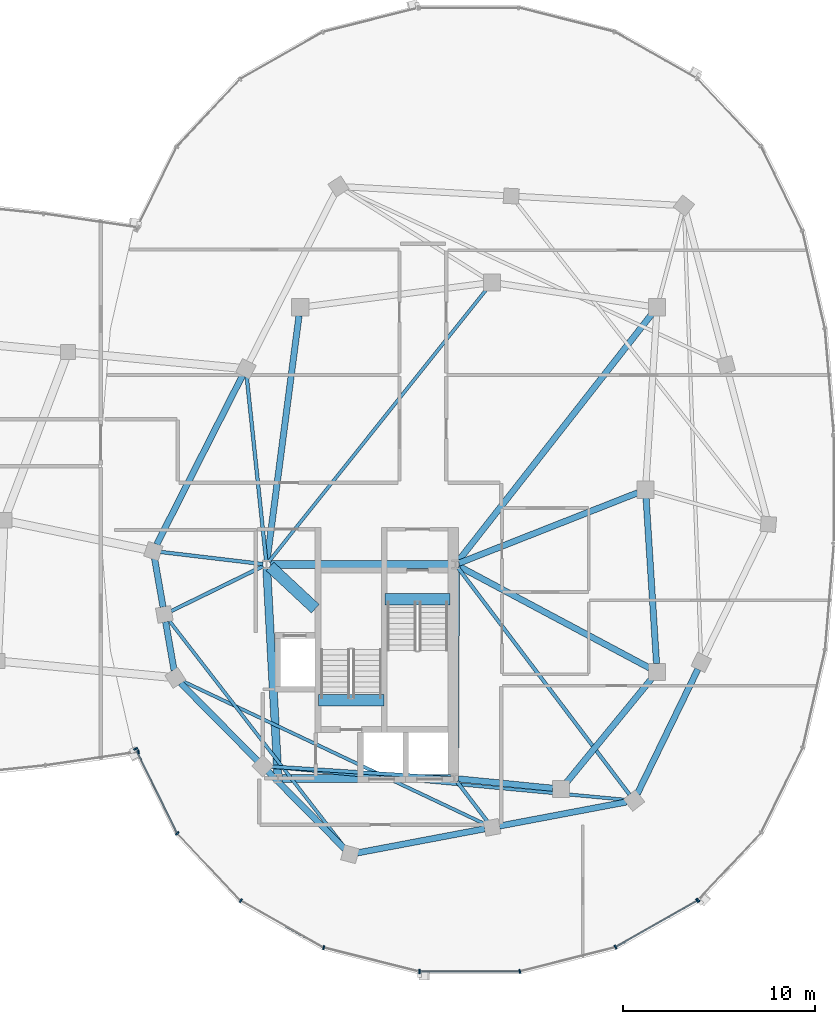
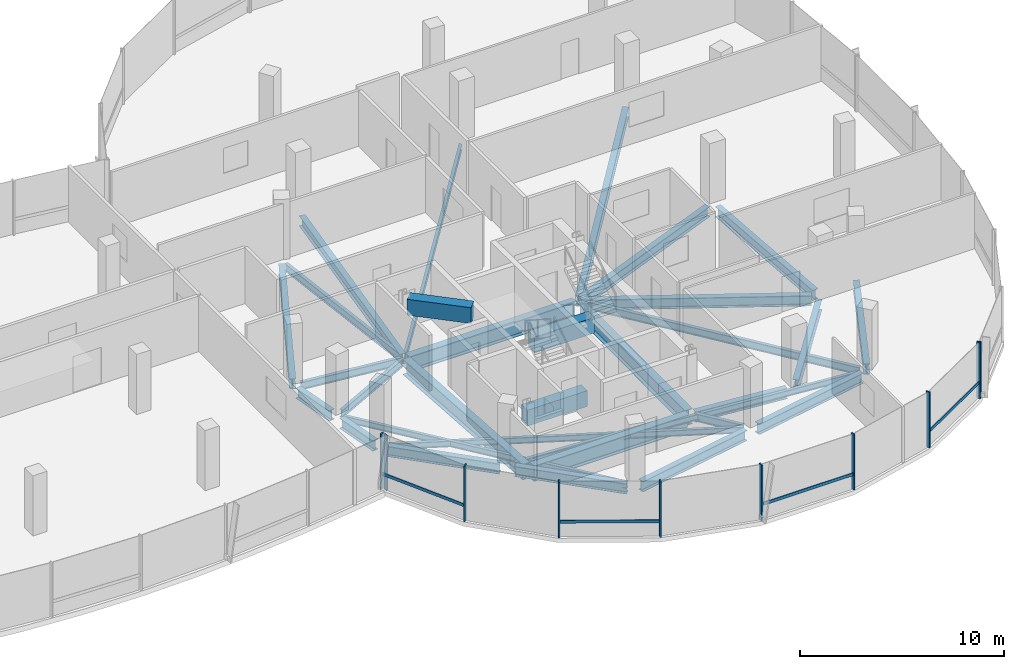
# One storey, part 8 of 26: 32 beams, 14 members, 3 elements without a shape of their own.
"""IFC4 building model written with IfcOpenShell, lengths in metres."""

from ifc_helpers import new_model, si_unit, direction, frame, origin, origin_2d, place, context, subcontext, project, spatial, rectangle, i_section, extrude, material, material_profile, profile_set, type_object, element, aggregate, save


model = new_model("IFC4")

# Units and contexts
model_context = context("Model", 3, precision=1e-05, world=origin(), true_north=direction((0.0, 1.0)))
body_context = subcontext(model_context, "Body", "Model", "MODEL_VIEW")
ifc_project = project(units=[si_unit("LENGTHUNIT", "METRE"), si_unit("AREAUNIT", "SQUARE_METRE"), si_unit("VOLUMEUNIT", "CUBIC_METRE"), si_unit("PLANEANGLEUNIT", "RADIAN"), si_unit("MASSUNIT", "GRAM", prefix="KILO"), si_unit("THERMODYNAMICTEMPERATUREUNIT", "KELVIN"), si_unit("POWERUNIT", "WATT")], contexts=[model_context])

# Site, building, storey
site_placement = place(None, origin())
site = spatial("IfcSite", under=ifc_project, at=site_placement, CompositionType="ELEMENT")
building_placement = place(site_placement, origin())
building = spatial("IfcBuilding", under=site, at=building_placement, Name="Cundina Bronze Exchange", CompositionType="ELEMENT")
storey_placement = place(building_placement, frame((0.0, 0.0, 243.199951171875)))
storey = spatial("IfcBuildingStorey", under=building, at=storey_placement, Name="L64", CompositionType="ELEMENT", Elevation=243.199951171875)

# Beams
ifc_material_1 = material(Name="Concrete C60/75", Category="concrete")
ifc_material_profile_1 = material_profile(ifc_material_1, rectangle(XDim=0.60009765625, YDim=0.949951171875, at=origin_2d()), Name="RC600X950", Category="concrete")
ifc_profile_set_1 = profile_set([ifc_material_profile_1], Name="Concrete C60/75")
beam_type_1 = type_object("IfcBeamType", Name="BM-COUP-RC950", PredefinedType="LINTEL", material=ifc_profile_set_1)
beam_1_placement = place(storey_placement, frame((27.6201171875, -5.719970703125, -0.474853515625), z_axis=(1.0, 0.0, 0.0), x_axis=(0.0, 1.0, 0.0)))
element("IfcBeam", 1, at=beam_1_placement, inside=storey, type_object=beam_type_1, Name="L64 Stair E1 Landing Header Beam", PredefinedType="LINTEL", context=body_context, shape_type="SweptSolid", body=[
    extrude(rectangle(XDim=0.60009765625, YDim=0.949951171875, at=origin_2d()), origin(), (0.0, 0.0, 1.0), 3.39990234375),
])
beam_2_placement = place(storey_placement, frame((24.159912109375, -10.97998046875, -0.474853515625), z_axis=(1.0, 0.0, 0.0), x_axis=(0.0, 1.0, 0.0)))
element("IfcBeam", 2, at=beam_2_placement, inside=storey, type_object=beam_type_1, Name="L64 Stair E2 Landing Header Beam", PredefinedType="LINTEL", context=body_context, shape_type="SweptSolid", body=[
    extrude(rectangle(XDim=0.60009765625, YDim=0.949951171875, at=origin_2d()), origin(), (0.0, 0.0, 1.0), 3.400146484375),
])
beam_3_placement = place(storey_placement, frame((21.6298828125, -4.0, 2.864990234375), z_axis=(0.731490439815, -0.681851696822, 0.0), x_axis=(0.681851696822, 0.731490439815, 0.0)))
element("IfcBeam", 3, at=beam_3_placement, inside=storey, type_object=beam_type_1, Name="L64 E Core Shear Coupling Lintel Beam", PredefinedType="LINTEL", context=body_context, shape_type="SweptSolid", body=[
    extrude(rectangle(XDim=0.60009765625, YDim=0.949951171875, at=origin_2d()), origin(), (0.0, 0.0, 1.0), 3.226318359375),
])
ifc_material_2 = material(Name="Steel ASTM A992 Grade 50", Category="steel")
ifc_material_profile_2 = material_profile(ifc_material_2, i_section(OverallWidth=0.19091796875, OverallDepth=0.4599609375, WebThickness=0.010009765625, FlangeThickness=0.01611328125, FilletRadius=0.011962890625, at=origin_2d()), Name="W18X55", Category="steel")
ifc_profile_set_2 = profile_set([ifc_material_profile_2], Name="Steel ASTM A992 Grade 50")
beam_type_2 = type_object("IfcBeamType", Name="BM-FLR-W18B", PredefinedType="BEAM", material=ifc_profile_set_2)
beam_4_placement = place(storey_placement, frame((21.25537109375, -3.876953125, -0.489990234375), z_axis=(-0.993031892142, 0.117845921393, 0.0), x_axis=(-0.117845921393, -0.993031892142, 0.0)))
element("IfcBeam", 4, at=beam_4_placement, inside=storey, type_object=beam_type_2, Name="L64 Leg E Chordal Floor Beam 00", PredefinedType="BEAM", context=body_context, shape_type="SweptSolid", body=[
    extrude(i_section(OverallWidth=0.19091796875, OverallDepth=0.4599609375, WebThickness=0.010009765625, FlangeThickness=0.01611328125, FilletRadius=0.011962890625, at=origin_2d()), origin(), (0.0, 0.0, 1.0), 5.357421875),
])
beam_5_placement = place(storey_placement, frame((21.27392578125, -3.986083984375, -0.489990234375), z_axis=(-0.898610260891, -0.438747762412, 0.0), x_axis=(0.438747762412, -0.898610260891, 0.0)))
element("IfcBeam", 5, at=beam_5_placement, inside=storey, type_object=beam_type_2, Name="L64 Leg E Chordal Floor Beam 01", PredefinedType="BEAM", context=body_context, shape_type="SweptSolid", body=[
    extrude(i_section(OverallWidth=0.19091796875, OverallDepth=0.4599609375, WebThickness=0.010009765625, FlangeThickness=0.01611328125, FilletRadius=0.011962890625, at=origin_2d()), origin(), (0.0, 0.0, 1.0), 5.341796875),
])
beam_6_placement = place(storey_placement, frame((31.054443359375, -15.037353515625, -0.489990234375), z_axis=(-0.997894580734, 0.064856809527, 0.0), x_axis=(-0.064856809527, -0.997894580734, 0.0)))
element("IfcBeam", 6, at=beam_6_placement, inside=storey, type_object=beam_type_2, Name="L64 Leg E Chordal Floor Beam 03", PredefinedType="BEAM", context=body_context, shape_type="SweptSolid", body=[
    extrude(i_section(OverallWidth=0.19091796875, OverallDepth=0.4599609375, WebThickness=0.010009765625, FlangeThickness=0.01611328125, FilletRadius=0.011962890625, at=origin_2d()), origin(), (0.0, 0.0, 1.0), 9.43701171875),
])
beam_7_placement = place(storey_placement, frame((31.369140625, -15.205810546875, -0.489990234375), z_axis=(0.607470812638, -0.794341999263, 0.0), x_axis=(0.794341999263, 0.607470812638, 0.0)))
element("IfcBeam", 7, at=beam_7_placement, inside=storey, type_object=beam_type_2, Name="L64 Leg E Chordal Floor Beam 05", PredefinedType="BEAM", context=body_context, shape_type="SweptSolid", body=[
    extrude(i_section(OverallWidth=0.19091796875, OverallDepth=0.4599609375, WebThickness=0.010009765625, FlangeThickness=0.01611328125, FilletRadius=0.011962890625, at=origin_2d()), origin(), (0.0, 0.0, 1.0), 2.6259765625),
])
beam_8_placement = place(storey_placement, frame((31.418212890625, -4.056396484375, -0.489990234375), z_axis=(0.603112871583, -0.797655855699, 0.0), x_axis=(0.797655855699, 0.603112871583, 0.0)))
element("IfcBeam", 8, at=beam_8_placement, inside=storey, type_object=beam_type_2, Name="L64 Leg E Chordal Floor Beam 06", PredefinedType="BEAM", context=body_context, shape_type="SweptSolid", body=[
    extrude(i_section(OverallWidth=0.19091796875, OverallDepth=0.4599609375, WebThickness=0.010009765625, FlangeThickness=0.01611328125, FilletRadius=0.011962890625, at=origin_2d()), origin(), (0.0, 0.0, 1.0), 14.8359375),
])
beam_9_placement = place(storey_placement, frame((21.429443359375, -3.705078125, -0.489990234375), z_axis=(-0.10480040809, 0.994493275223, 0.0), x_axis=(-0.994493275223, -0.10480040809, 0.0)))
element("IfcBeam", 9, at=beam_9_placement, inside=storey, type_object=beam_type_2, Name="L64 Leg E Chordal Floor Beam 13", PredefinedType="BEAM", context=body_context, shape_type="SweptSolid", body=[
    extrude(i_section(OverallWidth=0.19091796875, OverallDepth=0.4599609375, WebThickness=0.010009765625, FlangeThickness=0.01611328125, FilletRadius=0.011962890625, at=origin_2d()), origin(), (0.0, 0.0, 1.0), 9.67236328125),
])
ifc_material_profile_3 = material_profile(ifc_material_2, i_section(OverallWidth=0.172119140625, OverallDepth=0.35791015625, WebThickness=0.0078125, FlangeThickness=0.01318359375, FilletRadius=0.010009765625, at=origin_2d()), Name="W14X38", Category="steel")
ifc_profile_set_3 = profile_set([ifc_material_profile_3], Name="Steel ASTM A992 Grade 50")
beam_type_3 = type_object("IfcBeamType", Name="BM-JST-W14", PredefinedType="JOIST", material=ifc_profile_set_3)
beam_10_placement = place(storey_placement, frame((21.572509765625, -3.746826171875, -0.43896484375), z_axis=(0.624364266872, 0.781133319129, 0.0), x_axis=(-0.781133319129, 0.624364266872, 0.0)))
element("IfcBeam", 10, at=beam_10_placement, inside=storey, type_object=beam_type_3, Name="L64 E Interior Core-to-Ring Joist 2", PredefinedType="JOIST", context=body_context, shape_type="SweptSolid", body=[
    extrude(i_section(OverallWidth=0.172119140625, OverallDepth=0.35791015625, WebThickness=0.0078125, FlangeThickness=0.01318359375, FilletRadius=0.010009765625, at=origin_2d()), origin(), (0.0, 0.0, 1.0), 18.184814453125),
])
beam_11_placement = place(storey_placement, frame((16.362548828125, -6.806884765625, -0.43896484375), z_axis=(0.612077855816, -0.790797507849, 0.0), x_axis=(0.790797507849, 0.612077855816, 0.0)))
element("IfcBeam", 11, at=beam_11_placement, inside=storey, type_object=beam_type_3, Name="L64 Leg E Lobe Floor Joist 01-04", PredefinedType="JOIST", context=body_context, shape_type="SweptSolid", body=[
    extrude(i_section(OverallWidth=0.172119140625, OverallDepth=0.35791015625, WebThickness=0.0078125, FlangeThickness=0.01318359375, FilletRadius=0.010009765625, at=origin_2d()), origin(), (0.0, 0.0, 1.0), 15.03076171875),
])
beam_12_placement = place(storey_placement, frame((17.05078125, -9.9658203125, -0.43896484375), z_axis=(0.904073247994, -0.427377540661, 0.0), x_axis=(0.427377540661, 0.904073247994, 0.0)))
element("IfcBeam", 12, at=beam_12_placement, inside=storey, type_object=beam_type_3, Name="L64 Leg E Lobe Floor Joist 02-05", PredefinedType="JOIST", context=body_context, shape_type="SweptSolid", body=[
    extrude(i_section(OverallWidth=0.172119140625, OverallDepth=0.35791015625, WebThickness=0.0078125, FlangeThickness=0.01318359375, FilletRadius=0.010009765625, at=origin_2d()), origin(), (0.0, 0.0, 1.0), 17.474609375),
])
beam_13_placement = place(storey_placement, frame((21.63623046875, -14.435791015625, -0.43896484375), z_axis=(0.995700514338, -0.092630911398, 0.0), x_axis=(0.092630911398, 0.995700514338, 0.0)))
element("IfcBeam", 13, at=beam_13_placement, inside=storey, type_object=beam_type_3, Name="L64 Leg E Lobe Floor Joist 03-06", PredefinedType="JOIST", context=body_context, shape_type="SweptSolid", body=[
    extrude(i_section(OverallWidth=0.172119140625, OverallDepth=0.35791015625, WebThickness=0.0078125, FlangeThickness=0.01318359375, FilletRadius=0.010009765625, at=origin_2d()), origin(), (0.0, 0.0, 1.0), 18.65771484375),
])
ifc_material_profile_4 = material_profile(ifc_material_2, i_section(OverallWidth=0.324951171875, OverallDepth=0.615966796875, WebThickness=0.013916015625, FlangeThickness=0.021484375, FilletRadius=0.01611328125, at=origin_2d()), Name="W24X117", Category="steel")
ifc_profile_set_4 = profile_set([ifc_material_profile_4], Name="Steel ASTM A992 Grade 50")
beam_type_4 = type_object("IfcBeamType", Name="BM-RING-W24", PredefinedType="USERDEFINED", material=ifc_profile_set_4)
beam_14_placement = place(storey_placement, frame((31.445068359375, -15.0693359375, -0.56787109375), z_axis=(0.995123854478, -0.09863323096, 0.0), x_axis=(0.09863323096, 0.995123854478, 0.0)))
element("IfcBeam", 14, at=beam_14_placement, inside=storey, type_object=beam_type_4, Name="L64 E Inner Structural Ring Girder 01", ObjectType="GIRDER", PredefinedType="USERDEFINED", context=body_context, shape_type="SweptSolid", body=[
    extrude(i_section(OverallWidth=0.324951171875, OverallDepth=0.615966796875, WebThickness=0.013916015625, FlangeThickness=0.021484375, FilletRadius=0.01611328125, at=origin_2d()), origin(), (0.0, 0.0, 1.0), 4.943115234375),
])
beam_15_placement = place(storey_placement, frame((37.07763671875, -15.26123046875, -0.56787109375), z_axis=(0.633912590175, 0.77340469873, 0.0), x_axis=(-0.77340469873, 0.633912590175, 0.0)))
element("IfcBeam", 15, at=beam_15_placement, inside=storey, type_object=beam_type_4, Name="L64 E Inner Structural Ring Girder 02", ObjectType="GIRDER", PredefinedType="USERDEFINED", context=body_context, shape_type="SweptSolid", body=[
    extrude(i_section(OverallWidth=0.324951171875, OverallDepth=0.615966796875, WebThickness=0.013916015625, FlangeThickness=0.021484375, FilletRadius=0.01611328125, at=origin_2d()), origin(), (0.0, 0.0, 1.0), 7.01123046875),
])
beam_16_placement = place(storey_placement, frame((41.7724609375, -9.06298828125, -0.56787109375), z_axis=(-0.063046519736, 0.998010589297, 0.0), x_axis=(-0.998010589297, -0.063046519736, 0.0)))
element("IfcBeam", 16, at=beam_16_placement, inside=storey, type_object=beam_type_4, Name="L64 E Inner Structural Ring Girder 03", ObjectType="GIRDER", PredefinedType="USERDEFINED", context=body_context, shape_type="SweptSolid", body=[
    extrude(i_section(OverallWidth=0.324951171875, OverallDepth=0.615966796875, WebThickness=0.013916015625, FlangeThickness=0.021484375, FilletRadius=0.01611328125, at=origin_2d()), origin(), (0.0, 0.0, 1.0), 8.64306640625),
])
beam_17_placement = place(storey_placement, frame((23.143310546875, 9.065673828125, -0.56787109375), z_axis=(-0.129501251979, -0.991579258424, 0.0), x_axis=(0.991579258424, -0.129501251979, 0.0)))
element("IfcBeam", 17, at=beam_17_placement, inside=storey, type_object=beam_type_4, Name="L64 E Inner Structural Ring Girder 07", ObjectType="GIRDER", PredefinedType="USERDEFINED", context=body_context, shape_type="SweptSolid", body=[
    extrude(i_section(OverallWidth=0.324951171875, OverallDepth=0.615966796875, WebThickness=0.013916015625, FlangeThickness=0.021484375, FilletRadius=0.01611328125, at=origin_2d()), origin(), (0.0, 0.0, 1.0), 12.8798828125),
])
beam_18_placement = place(storey_placement, frame((31.482421875, -3.828125, -0.56787109375), z_axis=(0.930404106569, 0.366535398673, 0.0), x_axis=(-0.366535398673, 0.930404106569, 0.0)))
element("IfcBeam", 18, at=beam_18_placement, inside=storey, type_object=beam_type_4, Name="L64 E Core-to-Waist Tie Beam 1", ObjectType="GIRDER", PredefinedType="USERDEFINED", context=body_context, shape_type="SweptSolid", body=[
    extrude(i_section(OverallWidth=0.324951171875, OverallDepth=0.615966796875, WebThickness=0.013916015625, FlangeThickness=0.021484375, FilletRadius=0.01611328125, at=origin_2d()), origin(), (0.0, 0.0, 1.0), 10.00634765625),
])
beam_19_placement = place(storey_placement, frame((31.472900390625, -3.9921875, -0.56787109375), z_axis=(0.882350541683, -0.470592734317, 0.0), x_axis=(0.470592734317, 0.882350541683, 0.0)))
element("IfcBeam", 19, at=beam_19_placement, inside=storey, type_object=beam_type_4, Name="L64 E Core-to-Waist Tie Beam 2", ObjectType="GIRDER", PredefinedType="USERDEFINED", context=body_context, shape_type="SweptSolid", body=[
    extrude(i_section(OverallWidth=0.324951171875, OverallDepth=0.615966796875, WebThickness=0.013916015625, FlangeThickness=0.021484375, FilletRadius=0.01611328125, at=origin_2d()), origin(), (0.0, 0.0, 1.0), 11.26611328125),
])
beam_20_placement = place(storey_placement, frame((31.4208984375, -3.74560546875, -0.56787109375), z_axis=(0.616782900053, 0.787133314123, 0.0), x_axis=(-0.787133314123, 0.616782900053, 0.0)))
element("IfcBeam", 20, at=beam_20_placement, inside=storey, type_object=beam_type_4, Name="L64 E Core-to-Waist Tie Beam 3", ObjectType="GIRDER", PredefinedType="USERDEFINED", context=body_context, shape_type="SweptSolid", body=[
    extrude(i_section(OverallWidth=0.324951171875, OverallDepth=0.615966796875, WebThickness=0.013916015625, FlangeThickness=0.021484375, FilletRadius=0.01611328125, at=origin_2d()), origin(), (0.0, 0.0, 1.0), 16.3896484375),
])
for number, where, z_axis, x_axis, name in (
    (21, (15.61669921875, -3.582275390625, -0.56787109375), (0.171593362587, -0.985167862811, 0.0), (0.985167862811, 0.171593362587, 0.0), "L64 E Perimeter Ring Girder 00"),
    (22, (16.191650390625, -6.882080078125, -0.56787109375), (0.171593362587, -0.985167862811, 0.0), (0.985167862811, 0.171593362587, 0.0), "L64 E Perimeter Ring Girder 01"),
):
    element("IfcBeam", number, at=place(storey_placement, frame(where, z_axis=z_axis, x_axis=x_axis)), inside=storey, type_object=beam_type_4, Name=name, ObjectType="GIRDER", PredefinedType="USERDEFINED", context=body_context, shape_type="SweptSolid", body=[
        extrude(i_section(OverallWidth=0.324951171875, OverallDepth=0.615966796875, WebThickness=0.013916015625, FlangeThickness=0.021484375, FilletRadius=0.01611328125, at=origin_2d()), origin(), (0.0, 0.0, 1.0), 2.57373046875),
    ])
beam_21_placement = place(storey_placement, frame((16.972900390625, -10.075927734375, -0.56787109375), z_axis=(0.703237257446, -0.710955244541, 0.0), x_axis=(0.710955244541, 0.703237257446, 0.0)))
element("IfcBeam", 23, at=beam_21_placement, inside=storey, type_object=beam_type_4, Name="L64 E Perimeter Ring Girder 02", ObjectType="GIRDER", PredefinedType="USERDEFINED", context=body_context, shape_type="SweptSolid", body=[
    extrude(i_section(OverallWidth=0.324951171875, OverallDepth=0.615966796875, WebThickness=0.013916015625, FlangeThickness=0.021484375, FilletRadius=0.01611328125, at=origin_2d()), origin(), (0.0, 0.0, 1.0), 5.69384765625),
])
beam_22_placement = place(storey_placement, frame((21.52294921875, -14.67578125, -0.56787109375), z_axis=(0.703215820204, -0.710976448425, 0.0), x_axis=(0.710976448425, 0.703215820204, 0.0)))
element("IfcBeam", 24, at=beam_22_placement, inside=storey, type_object=beam_type_4, Name="L64 E Perimeter Ring Girder 03", ObjectType="GIRDER", PredefinedType="USERDEFINED", context=body_context, shape_type="SweptSolid", body=[
    extrude(i_section(OverallWidth=0.324951171875, OverallDepth=0.615966796875, WebThickness=0.013916015625, FlangeThickness=0.021484375, FilletRadius=0.01611328125, at=origin_2d()), origin(), (0.0, 0.0, 1.0), 5.694091796875),
])
beam_23_placement = place(storey_placement, frame((26.18115234375, -18.927978515625, -0.56787109375), z_axis=(0.982568104771, 0.185902984072, 0.0), x_axis=(-0.185902984072, 0.982568104771, 0.0)))
element("IfcBeam", 25, at=beam_23_placement, inside=storey, type_object=beam_type_4, Name="L64 E Perimeter Ring Girder 04", ObjectType="GIRDER", PredefinedType="USERDEFINED", context=body_context, shape_type="SweptSolid", body=[
    extrude(i_section(OverallWidth=0.324951171875, OverallDepth=0.615966796875, WebThickness=0.013916015625, FlangeThickness=0.021484375, FilletRadius=0.01611328125, at=origin_2d()), origin(), (0.0, 0.0, 1.0), 6.75537109375),
])
beam_24_placement = place(storey_placement, frame((33.581298828125, -17.52783203125, -0.56787109375), z_axis=(0.982573456977, 0.185874693392, 0.0), x_axis=(-0.185874693392, 0.982573456977, 0.0)))
element("IfcBeam", 26, at=beam_24_placement, inside=storey, type_object=beam_type_4, Name="L64 E Perimeter Ring Girder 05", ObjectType="GIRDER", PredefinedType="USERDEFINED", context=body_context, shape_type="SweptSolid", body=[
    extrude(i_section(OverallWidth=0.324951171875, OverallDepth=0.615966796875, WebThickness=0.013916015625, FlangeThickness=0.021484375, FilletRadius=0.01611328125, at=origin_2d()), origin(), (0.0, 0.0, 1.0), 6.755126953125),
])
beam_25_placement = place(storey_placement, frame((40.76953125, -15.85107421875, -0.56787109375), z_axis=(0.437216986791, 0.899356050995, 0.0), x_axis=(-0.899356050995, 0.437216986791, 0.0)))
element("IfcBeam", 27, at=beam_25_placement, inside=storey, type_object=beam_type_4, Name="L64 E Perimeter Ring Girder 06", ObjectType="GIRDER", PredefinedType="USERDEFINED", context=body_context, shape_type="SweptSolid", body=[
    extrude(i_section(OverallWidth=0.324951171875, OverallDepth=0.615966796875, WebThickness=0.013916015625, FlangeThickness=0.021484375, FilletRadius=0.01611328125, at=origin_2d()), origin(), (0.0, 0.0, 1.0), 7.2294921875),
])
beam_26_placement = place(storey_placement, frame((20.19921875, 5.9541015625, -0.56787109375), z_axis=(-0.452839263805, -0.891592171991, 0.0), x_axis=(0.891592171991, -0.452839263805, 0.0)))
element("IfcBeam", 28, at=beam_26_placement, inside=storey, type_object=beam_type_4, Name="L64 E Perimeter Ring Girder 13", ObjectType="GIRDER", PredefinedType="USERDEFINED", context=body_context, shape_type="SweptSolid", body=[
    extrude(i_section(OverallWidth=0.324951171875, OverallDepth=0.615966796875, WebThickness=0.013916015625, FlangeThickness=0.021484375, FilletRadius=0.01611328125, at=origin_2d()), origin(), (0.0, 0.0, 1.0), 9.879150390625),
])
ifc_material_profile_5 = material_profile(ifc_material_2, i_section(OverallWidth=0.41796875, OverallDepth=0.927001953125, WebThickness=0.019287109375, FlangeThickness=0.031982421875, FilletRadius=0.02392578125, at=origin_2d()), Name="W36X231", Category="steel")
ifc_profile_set_5 = profile_set([ifc_material_profile_5], Name="Steel ASTM A992 Grade 50")
beam_type_5 = type_object("IfcBeamType", Name="BM-WRN-W36B", PredefinedType="USERDEFINED", material=ifc_profile_set_5)
beam_27_placement = place(storey_placement, frame((31.10400390625, -3.89990234375, -0.723388671875), z_axis=(-1.0, 0.0, 0.0), x_axis=(0.0, -1.0, 0.0)))
element("IfcBeam", 29, at=beam_27_placement, inside=storey, type_object=beam_type_5, Name="L64 E Core Perimeter Tie Girder 1", ObjectType="GIRDER", PredefinedType="USERDEFINED", context=body_context, shape_type="SweptSolid", body=[
    extrude(i_section(OverallWidth=0.41796875, OverallDepth=0.927001953125, WebThickness=0.019287109375, FlangeThickness=0.031982421875, FilletRadius=0.02392578125, at=origin_2d()), origin(), (0.0, 0.0, 1.0), 9.4580078125),
])
beam_28_placement = place(storey_placement, frame((21.46044921875, -4.095703125, -0.723388671875), z_axis=(0.053749317644, -0.998554460634, 0.0), x_axis=(0.998554460634, 0.053749317644, 0.0)))
element("IfcBeam", 30, at=beam_28_placement, inside=storey, type_object=beam_type_5, Name="L64 E Core Perimeter Tie Girder 2", ObjectType="GIRDER", PredefinedType="USERDEFINED", context=body_context, shape_type="SweptSolid", body=[
    extrude(i_section(OverallWidth=0.41796875, OverallDepth=0.927001953125, WebThickness=0.019287109375, FlangeThickness=0.031982421875, FilletRadius=0.02392578125, at=origin_2d()), origin(), (0.0, 0.0, 1.0), 10.774169921875),
])
beam_29_placement = place(storey_placement, frame((22.24609375, -15.050048828125, -0.723388671875), z_axis=(1.0, 0.0, 0.0), x_axis=(0.0, 1.0, 0.0)))
element("IfcBeam", 31, at=beam_29_placement, inside=storey, type_object=beam_type_5, Name="L64 E Core Perimeter Tie Girder 3", ObjectType="GIRDER", PredefinedType="USERDEFINED", context=body_context, shape_type="SweptSolid", body=[
    extrude(i_section(OverallWidth=0.41796875, OverallDepth=0.927001953125, WebThickness=0.019287109375, FlangeThickness=0.031982421875, FilletRadius=0.02392578125, at=origin_2d()), origin(), (0.0, 0.0, 1.0), 8.807861328125),
])
beam_30_placement = place(storey_placement, frame((31.2509765625, -14.85400390625, -0.723388671875), z_axis=(0.004470623654, 0.999990006712, 0.0), x_axis=(-0.999990006712, 0.004470623654, 0.0)))
element("IfcBeam", 32, at=beam_30_placement, inside=storey, type_object=beam_type_5, Name="L64 E Core Perimeter Tie Girder 4", ObjectType="GIRDER", PredefinedType="USERDEFINED", context=body_context, shape_type="SweptSolid", body=[
    extrude(i_section(OverallWidth=0.41796875, OverallDepth=0.927001953125, WebThickness=0.019287109375, FlangeThickness=0.031982421875, FilletRadius=0.02392578125, at=origin_2d()), origin(), (0.0, 0.0, 1.0), 10.758056640625),
])

# Curtain wall, members
ifc_material_3 = material(Name="Anodised Bronze Aluminium 6063-T6", Category="aluminium")
curtain_wall_type = type_object("IfcCurtainWallType", Name="CWS-SKG-BRG", PredefinedType="NOTDEFINED", material=ifc_material_3)
curtain_wall_1_placement = place(storey_placement, origin())
curtain_wall_1 = element("IfcCurtainWall", 33, at=curtain_wall_1_placement, inside=storey, type_object=curtain_wall_type, Name="L64 CW-06 Curtain Wall Run CWR-L64-E3", PredefinedType="NOTDEFINED")
ifc_material_profile_6 = material_profile(ifc_material_3, rectangle(XDim=0.074951171875, YDim=0.219970703125, at=origin_2d()), Name="AL75X220", Category="aluminium")
ifc_profile_set_6 = profile_set([ifc_material_profile_6], Name="Anodised Bronze Aluminium 6063-T6")
member_type_1 = type_object("IfcMemberType", Name="CWM-MUL-220", PredefinedType="MULLION", material=ifc_profile_set_6)
member_1_placement = place(storey_placement, frame((14.630859375, -13.50390625, 0.0), z_axis=(0.0, 0.0, 1.0), x_axis=(0.440566004113, -0.897720221461, 0.0)))
member_1 = element("IfcMember", 34, at=member_1_placement, type_object=member_type_1, Name="CW-06 Mullion 1", PredefinedType="MULLION", context=body_context, shape_type="SweptSolid", body=[
    extrude(rectangle(XDim=0.074951171875, YDim=0.219970703125, at=origin_2d()), origin(), (0.0, 0.0, 1.0), 3.340087890625),
])
member_2_placement = place(storey_placement, frame((16.8037109375, -17.910400390625, 0.0), z_axis=(0.0, 0.0, 1.0), x_axis=(0.684292606175, -0.729207535023, 0.0)))
member_2 = element("IfcMember", 35, at=member_2_placement, type_object=member_type_1, Name="CW-06 Mullion 2", PredefinedType="MULLION", context=body_context, shape_type="SweptSolid", body=[
    extrude(rectangle(XDim=0.074951171875, YDim=0.219970703125, at=origin_2d()), origin(), (0.0, 0.0, 1.0), 3.340087890625),
])
member_3_placement = place(storey_placement, frame((20.11083984375, -21.419921875, 0.0), z_axis=(0.0, 0.0, 1.0), x_axis=(0.86958112538, -0.493790103568, 0.0)))
member_3 = element("IfcMember", 36, at=member_3_placement, type_object=member_type_1, Name="CW-06 Mullion 3", PredefinedType="MULLION", context=body_context, shape_type="SweptSolid", body=[
    extrude(rectangle(XDim=0.074951171875, YDim=0.219970703125, at=origin_2d()), origin(), (0.0, 0.0, 1.0), 3.340087890625),
])
member_4_placement = place(storey_placement, frame((24.4296875, -23.86181640625, 0.0), z_axis=(0.0, 0.0, 1.0), x_axis=(0.969744325821, -0.244122802168, 0.0)))
member_4 = element("IfcMember", 37, at=member_4_placement, type_object=member_type_1, Name="CW-06 Mullion 4", PredefinedType="MULLION", context=body_context, shape_type="SweptSolid", body=[
    extrude(rectangle(XDim=0.074951171875, YDim=0.219970703125, at=origin_2d()), origin(), (0.0, 0.0, 1.0), 3.340087890625),
])
member_5_placement = place(storey_placement, frame((29.423583984375, -25.110107421875, 0.0), z_axis=(0.0, 0.0, 1.0), x_axis=(1.0, 0.0, 0.0)))
member_5 = element("IfcMember", 38, at=member_5_placement, type_object=member_type_1, Name="CW-06 Mullion 5", PredefinedType="MULLION", context=body_context, shape_type="SweptSolid", body=[
    extrude(rectangle(XDim=0.074951171875, YDim=0.219970703125, at=origin_2d()), origin(), (0.0, 0.0, 1.0), 3.340087890625),
])
member_6_placement = place(storey_placement, frame((34.648193359375, -25.10107421875, 0.0), z_axis=(0.0, 0.0, 1.0), x_axis=(0.969744325821, 0.244122802168, 0.0)))
member_6 = element("IfcMember", 39, at=member_6_placement, type_object=member_type_1, Name="CW-06 Mullion 6", PredefinedType="MULLION", context=body_context, shape_type="SweptSolid", body=[
    extrude(rectangle(XDim=0.074951171875, YDim=0.219970703125, at=origin_2d()), origin(), (0.0, 0.0, 1.0), 3.340087890625),
])
member_7_placement = place(storey_placement, frame((39.634521484375, -23.8359375, 0.0), z_axis=(0.0, 0.0, 1.0), x_axis=(0.86958112538, 0.493790103568, 0.0)))
member_7 = element("IfcMember", 40, at=member_7_placement, type_object=member_type_1, Name="CW-06 Mullion 7", PredefinedType="MULLION", context=body_context, shape_type="SweptSolid", body=[
    extrude(rectangle(XDim=0.074951171875, YDim=0.219970703125, at=origin_2d()), origin(), (0.0, 0.0, 1.0), 3.340087890625),
])
member_8_placement = place(storey_placement, frame((43.88916015625, -21.419921875, 0.0), z_axis=(0.0, 0.0, 1.0), x_axis=(0.86958112538, 0.493790103568, 0.0)))
member_8 = element("IfcMember", 41, at=member_8_placement, type_object=member_type_1, Name="CW-06 End Mullion", PredefinedType="MULLION", context=body_context, shape_type="SweptSolid", body=[
    extrude(rectangle(XDim=0.074951171875, YDim=0.219970703125, at=origin_2d()), origin(), (0.0, 0.0, 1.0), 3.340087890625),
])

# Curtain wall, member
curtain_wall_2_placement = place(storey_placement, origin())
curtain_wall_2 = element("IfcCurtainWall", 42, at=curtain_wall_2_placement, inside=storey, type_object=curtain_wall_type, Name="L64 CW-06 Curtain Wall Run CWR-L64-E4", PredefinedType="NOTDEFINED")
member_9_placement = place(storey_placement, frame((43.940185546875, -21.3798828125, 0.0), z_axis=(0.0, 0.0, 1.0), x_axis=(0.684292606175, 0.729207535023, 0.0)))
member_9 = element("IfcMember", 43, at=member_9_placement, type_object=member_type_1, Name="CW-06 Mullion 1", PredefinedType="MULLION", context=body_context, shape_type="SweptSolid", body=[
    extrude(rectangle(XDim=0.074951171875, YDim=0.219970703125, at=origin_2d()), origin(), (0.0, 0.0, 1.0), 3.340087890625),
])
aggregate(curtain_wall_2, [member_9])

curtain_wall_3_placement = place(storey_placement, origin())
curtain_wall_3 = element("IfcCurtainWall", 44, at=curtain_wall_3_placement, inside=storey, type_object=curtain_wall_type, Name="L64 CW-06 Curtain Wall Run CWR-L64-BRGS", PredefinedType="NOTDEFINED")
member_10_placement = place(storey_placement, frame((14.779296875, -13.658935546875, 0.0), z_axis=(0.0, 0.0, 1.0), x_axis=(0.989525789069, 0.144356201001, 0.0)))
member_10 = element("IfcMember", 45, at=member_10_placement, type_object=member_type_1, Name="CW-06 End Mullion", PredefinedType="MULLION", context=body_context, shape_type="SweptSolid", body=[
    extrude(rectangle(XDim=0.074951171875, YDim=0.219970703125, at=origin_2d()), origin(), (0.0, 0.0, 1.0), 3.280029296875),
])
aggregate(curtain_wall_3, [member_10])

# Member
ifc_material_profile_7 = material_profile(ifc_material_3, rectangle(XDim=0.070068359375, YDim=0.179931640625, at=origin_2d()), Name="AL70X180", Category="aluminium")
ifc_profile_set_7 = profile_set([ifc_material_profile_7], Name="Anodised Bronze Aluminium 6063-T6")
member_type_2 = type_object("IfcMemberType", Name="CWM-TRN-180", PredefinedType="USERDEFINED", material=ifc_profile_set_7)
member_11_placement = place(storey_placement, frame((14.64892578125, -13.541015625, 0.920166015625), z_axis=(0.440554408939, -0.897725911826, 0.0), x_axis=(0.897725911826, 0.440554408939, 0.0)))
member_11 = element("IfcMember", 46, at=member_11_placement, type_object=member_type_2, Name="CW-06 Spandrel Transom 1", ObjectType="TRANSOM", PredefinedType="USERDEFINED", context=body_context, shape_type="SweptSolid", body=[
    extrude(rectangle(XDim=0.070068359375, YDim=0.179931640625, at=origin_2d()), origin(), (0.0, 0.0, 1.0), 4.848388671875),
])

member_12_placement = place(storey_placement, frame((20.146728515625, -21.440185546875, 0.920166015625), z_axis=(0.869557366176, -0.493831941989, 0.0), x_axis=(0.493831941989, 0.869557366176, 0.0)))
member_12 = element("IfcMember", 47, at=member_12_placement, type_object=member_type_2, Name="CW-06 Spandrel Transom 3", ObjectType="TRANSOM", PredefinedType="USERDEFINED", context=body_context, shape_type="SweptSolid", body=[
    extrude(rectangle(XDim=0.070068359375, YDim=0.179931640625, at=origin_2d()), origin(), (0.0, 0.0, 1.0), 4.892822265625),
])

member_13_placement = place(storey_placement, frame((29.464599609375, -25.110107421875, 0.920166015625), z_axis=(1.0, 0.0, 0.0), x_axis=(0.0, 1.0, 0.0)))
member_13 = element("IfcMember", 48, at=member_13_placement, type_object=member_type_2, Name="CW-06 Spandrel Transom 5", ObjectType="TRANSOM", PredefinedType="USERDEFINED", context=body_context, shape_type="SweptSolid", body=[
    extrude(rectangle(XDim=0.070068359375, YDim=0.179931640625, at=origin_2d()), origin(), (0.0, 0.0, 1.0), 5.1533203125),
])

member_14_placement = place(storey_placement, frame((39.67041015625, -23.815673828125, 0.920166015625), z_axis=(0.869558105282, 0.493830640542, 0.0), x_axis=(-0.493830640542, 0.869558105282, 0.0)))
member_14 = element("IfcMember", 49, at=member_14_placement, type_object=member_type_2, Name="CW-06 Spandrel Transom 7", ObjectType="TRANSOM", PredefinedType="USERDEFINED", context=body_context, shape_type="SweptSolid", body=[
    extrude(rectangle(XDim=0.070068359375, YDim=0.179931640625, at=origin_2d()), origin(), (0.0, 0.0, 1.0), 4.810302734375),
])

aggregate(curtain_wall_1, [member_1, member_11, member_2, member_3, member_12, member_4, member_5, member_13, member_6, member_7, member_8, member_14])

save(model, "model.ifc")
